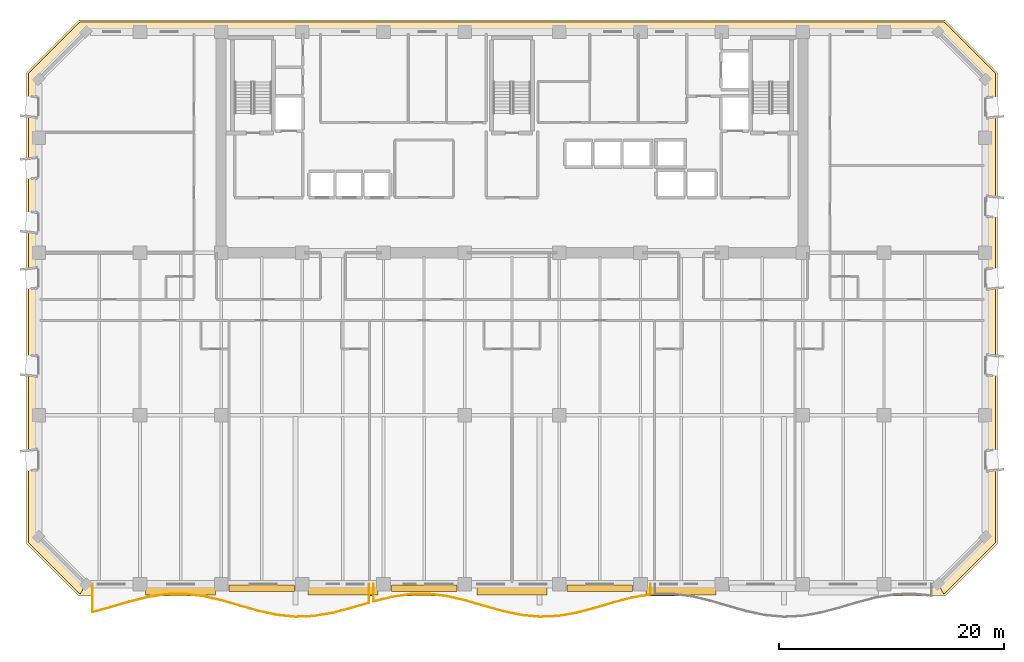
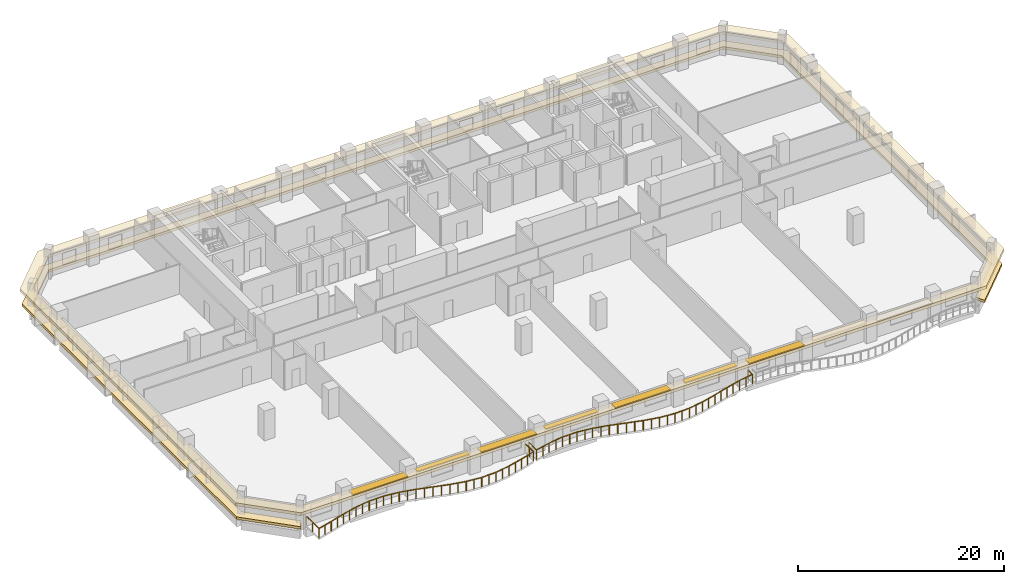
# One storey, part 12 of 15: 7 shading devices, 2 coverings, 2 railings.
"""IFC4 building model written with IfcOpenShell, lengths in metres."""

from ifc_helpers import new_model, si_unit, direction, frame, origin, origin_2d, place, context, subcontext, project, spatial, polyline, rectangle, outline, extrude, material, layer, layer_set, type_object, element, save


model = new_model("IFC4")

# Units and contexts
model_context = context("Model", 3, precision=1e-05, world=origin(), true_north=direction((0.0, 1.0)))
body_context = subcontext(model_context, "Body", "Model", "MODEL_VIEW")
ifc_project = project(units=[si_unit("LENGTHUNIT", "METRE"), si_unit("AREAUNIT", "SQUARE_METRE"), si_unit("VOLUMEUNIT", "CUBIC_METRE"), si_unit("PLANEANGLEUNIT", "RADIAN"), si_unit("MASSUNIT", "GRAM", prefix="KILO")], contexts=[model_context])

# Site, building, storey
site_placement = place(None, origin())
site = spatial("IfcSite", under=ifc_project, at=site_placement, CompositionType="ELEMENT")
building_placement = place(site_placement, origin())
building = spatial("IfcBuilding", under=site, at=building_placement, Name="Kaelvorn Grand Hotel", CompositionType="ELEMENT")
storey_placement = place(building_placement, frame((0.0, 0.0, 115.550048828125)))
storey = spatial("IfcBuildingStorey", under=building, at=storey_placement, Name="L27", CompositionType="ELEMENT", Elevation=115.550048828125)

# Coverings
ifc_material_1 = material(Name="Precast concrete C45/55", Category="concrete")
ifc_layer_1 = layer(ifc_material_1, 0.260009765625)
ifc_layer_set_1 = layer_set([ifc_layer_1], Name="Precast concrete C45/55")
covering_type_1 = type_object("IfcCoveringType", Name="COV-BAND-STREAMLINE-HEAD", PredefinedType="CLADDING", material=ifc_layer_set_1)
covering_1_placement = place(storey_placement, frame((0.0, 0.0, 2.179931640625)))
element("IfcCovering", 1, at=covering_1_placement, inside=storey, type_object=covering_type_1, Name="L27 Streamline Moderne Wraparound Horizontal Eyebrow Band", PredefinedType="CLADDING", context=body_context, shape_type="SweptSolid", body=[
    extrude(outline(polyline([(3.590087890625, -1.050048828125), (80.409912109375, -1.050048828125), (85.050048828125, 3.590087890625), (85.050048828125, 45.409912109375), (80.409912109375, 50.050048828125), (3.590087890625, 50.050048828125), (-1.050048828125, 45.409912109375), (-1.050048828125, 3.590087890625), (3.590087890625, -1.050048828125)]), holes=[polyline([(4.219970703125, 0.030029296875), (79.780029296875, 0.030029296875), (83.969970703125, 4.219970703125), (83.969970703125, 44.780029296875), (79.780029296875, 48.969970703125), (4.219970703125, 48.969970703125), (0.030029296875, 44.780029296875), (0.030029296875, 4.219970703125), (4.219970703125, 0.030029296875)])]), origin(), (0.0, 0.0, 1.0), 0.360107421875),
])
ifc_layer_2 = layer(ifc_material_1, 0.219970703125)
ifc_layer_set_2 = layer_set([ifc_layer_2], Name="Precast concrete C45/55")
covering_type_2 = type_object("IfcCoveringType", Name="COV-BAND-STREAMLINE-SILL", PredefinedType="CLADDING", material=ifc_layer_set_2)
covering_2_placement = place(storey_placement, frame((0.0, 0.0, 0.449951171875)))
element("IfcCovering", 2, at=covering_2_placement, inside=storey, type_object=covering_type_2, Name="L27 Streamline Moderne Wraparound Horizontal Sill Spandrel Band", PredefinedType="CLADDING", context=body_context, shape_type="SweptSolid", body=[
    extrude(outline(polyline([(80.3154296875, -0.8798828125), (84.8798828125, 3.6845703125), (84.8798828125, 45.3154296875), (80.3154296875, 49.8798828125), (3.6845703125, 49.8798828125), (-0.8798828125, 45.3154296875), (-0.8798828125, 3.6845703125), (3.6845703125, -0.8798828125), (4.217529296875, 0.030029296875), (0.030029296875, 4.217529296875), (0.030029296875, 44.782470703125), (4.217529296875, 48.969970703125), (79.782470703125, 48.969970703125), (83.969970703125, 44.782470703125), (83.969970703125, 4.217529296875), (79.782470703125, 0.030029296875), (80.3154296875, -0.8798828125)])), origin(), (0.0, 0.0, 1.0), 0.300048828125),
])

# Railings
ifc_material_2 = material(Name="Stainless Steel", Category="steel")
railing_type = type_object("IfcRailingType", Name="RL-BALC-1150", PredefinedType="BALUSTRADE", material=ifc_material_2)
railing_1_placement = place(storey_placement, frame((4.800048828125, 0.0, 0.0)))
element("IfcRailing", 3, at=railing_1_placement, inside=storey, type_object=railing_type, Name="L27 Scalloped Wave Balcony Balustrade GR1-1", PredefinedType="BALUSTRADE", context=body_context, shape_type="SweptSolid", body=[
    extrude(rectangle(XDim=0.048095703125, YDim=0.048095703125, at=origin_2d()), frame((0.0, 0.0, 1.1259765625), z_axis=(0.0, -1.0, 0.0), x_axis=(1.0, 0.0, 0.0)), (0.0, 0.0, 1.0), 2.4775390625),
    extrude(rectangle(XDim=0.048095703125, YDim=0.048095703125, at=origin_2d()), frame((0.0, -2.4775390625, 1.1259765625), z_axis=(0.964654076127, 0.263519474446, 0.0), x_axis=(-0.263519474446, 0.964654076127, 0.0)), (0.0, 0.0, 1.0), 1.6953125),
    extrude(rectangle(XDim=0.048095703125, YDim=0.048095703125, at=origin_2d()), frame((1.635498046875, -2.03076171875, 1.1259765625), z_axis=(0.959338132824, 0.282259361068, 0.0), x_axis=(-0.282259361068, 0.959338132824, 0.0)), (0.0, 0.0, 1.0), 1.704833984375),
    extrude(rectangle(XDim=0.048095703125, YDim=0.048095703125, at=origin_2d()), frame((3.27099609375, -1.549560546875, 1.1259765625), z_axis=(0.970108421797, 0.242671897751, 0.0), x_axis=(-0.242671897751, 0.970108421797, 0.0)), (0.0, 0.0, 1.0), 1.68603515625),
    extrude(rectangle(XDim=0.048095703125, YDim=0.048095703125, at=origin_2d()), frame((4.90673828125, -1.140380859375, 1.1259765625), z_axis=(0.988889745087, 0.148650839424, 0.0), x_axis=(-0.148650839424, 0.988889745087, 0.0)), (0.0, 0.0, 1.0), 1.65380859375),
    extrude(rectangle(XDim=0.048095703125, YDim=0.048095703125, at=origin_2d()), frame((6.542236328125, -0.89453125, 1.1259765625), z_axis=(0.999852684056, 0.01716421237, 0.0), x_axis=(-0.01716421237, 0.999852684056, 0.0)), (0.0, 0.0, 1.0), 1.6357421875),
    extrude(rectangle(XDim=0.048095703125, YDim=0.048095703125, at=origin_2d()), frame((8.177734375, -0.866455078125, 1.1259765625), z_axis=(0.992892259483, -0.119016641941, 0.0), x_axis=(0.119016641941, 0.992892259483, 0.0)), (0.0, 0.0, 1.0), 1.647216796875),
    extrude(rectangle(XDim=0.048095703125, YDim=0.048095703125, at=origin_2d()), frame((9.813232421875, -1.0625, 1.1259765625), z_axis=(0.974547877033, -0.22417947134, 0.0), x_axis=(0.22417947134, 0.974547877033, 0.0)), (0.0, 0.0, 1.0), 1.67822265625),
    extrude(rectangle(XDim=0.048095703125, YDim=0.048095703125, at=origin_2d()), frame((11.44873046875, -1.438720703125, 1.1259765625), z_axis=(0.960582401259, -0.277995414335, 0.0), x_axis=(0.277995414335, 0.960582401259, 0.0)), (0.0, 0.0, 1.0), 1.702880859375),
    extrude(rectangle(XDim=0.048095703125, YDim=0.048095703125, at=origin_2d()), frame((13.08447265625, -1.912109375, 1.1259765625), z_axis=(0.96186455439, -0.273526194374, 0.0), x_axis=(0.273526194374, 0.96186455439, 0.0)), (0.0, 0.0, 1.0), 1.700439453125),
    extrude(rectangle(XDim=0.048095703125, YDim=0.048095703125, at=origin_2d()), frame((14.719970703125, -2.377197265625, 1.1259765625), z_axis=(0.977427196396, -0.211272515358, 0.0), x_axis=(0.211272515358, 0.977427196396, 0.0)), (0.0, 0.0, 1.0), 1.67333984375),
    extrude(rectangle(XDim=0.048095703125, YDim=0.048095703125, at=origin_2d()), frame((16.35546875, -2.730712890625, 1.1259765625), z_axis=(0.995050417391, -0.099371358297, 0.0), x_axis=(0.099371358297, 0.995050417391, 0.0)), (0.0, 0.0, 1.0), 1.6435546875),
    extrude(rectangle(XDim=0.048095703125, YDim=0.048095703125, at=origin_2d()), frame((17.990966796875, -2.89404296875, 1.1259765625), z_axis=(0.999265134738, 0.03833002084, 0.0), x_axis=(-0.03833002084, 0.999265134738, 0.0)), (0.0, 0.0, 1.0), 1.636962890625),
    extrude(rectangle(XDim=0.048095703125, YDim=0.048095703125, at=origin_2d()), frame((19.626708984375, -2.831298828125, 1.1259765625), z_axis=(0.986118033534, 0.166045848907, 0.0), x_axis=(-0.166045848907, 0.986118033534, 0.0)), (0.0, 0.0, 1.0), 1.658447265625),
    extrude(rectangle(XDim=0.048095703125, YDim=0.048095703125, at=origin_2d()), frame((21.26220703125, -2.555908203125, 1.1259765625), z_axis=(0.96763721046, 0.252345455542, 0.0), x_axis=(-0.252345455542, 0.96763721046, 0.0)), (0.0, 0.0, 1.0), 1.690185546875),
    extrude(rectangle(XDim=0.048095703125, YDim=0.048095703125, at=origin_2d()), frame((22.897705078125, -2.12939453125, 1.1259765625), z_axis=(0.959027432838, 0.2833132243, 0.0), x_axis=(-0.2833132243, 0.959027432838, 0.0)), (0.0, 0.0, 1.0), 1.705322265625),
    extrude(rectangle(XDim=0.048095703125, YDim=0.048095703125, at=origin_2d()), frame((24.533203125, -1.646240234375, 1.1259765625), z_axis=(0.0, 1.0, 0.0), x_axis=(-1.0, 0.0, 0.0)), (0.0, 0.0, 1.0), 1.646240234375),
    extrude(rectangle(XDim=0.0419921875, YDim=0.0419921875, at=origin_2d()), origin(), (0.0, 0.0, 1.0), 1.101806640625),
    extrude(rectangle(XDim=0.0419921875, YDim=0.0419921875, at=origin_2d()), frame((0.0, -1.23876953125, 0.0)), (0.0, 0.0, 1.0), 1.101806640625),
    extrude(rectangle(XDim=0.0419921875, YDim=0.0419921875, at=origin_2d()), frame((0.0, -2.4775390625, 0.0)), (0.0, 0.0, 1.0), 1.101806640625),
    extrude(rectangle(XDim=0.0419921875, YDim=0.0419921875, at=origin_2d()), frame((0.81787109375, -2.254150390625, 0.0)), (0.0, 0.0, 1.0), 1.101806640625),
    extrude(rectangle(XDim=0.0419921875, YDim=0.0419921875, at=origin_2d()), frame((1.635498046875, -2.03076171875, 0.0)), (0.0, 0.0, 1.0), 1.101806640625),
    extrude(rectangle(XDim=0.0419921875, YDim=0.0419921875, at=origin_2d()), frame((2.453125, -1.7900390625, 0.0)), (0.0, 0.0, 1.0), 1.101806640625),
    extrude(rectangle(XDim=0.0419921875, YDim=0.0419921875, at=origin_2d()), frame((3.27099609375, -1.549560546875, 0.0)), (0.0, 0.0, 1.0), 1.101806640625),
    extrude(rectangle(XDim=0.0419921875, YDim=0.0419921875, at=origin_2d()), frame((4.0888671875, -1.344970703125, 0.0)), (0.0, 0.0, 1.0), 1.101806640625),
    extrude(rectangle(XDim=0.0419921875, YDim=0.0419921875, at=origin_2d()), frame((4.90673828125, -1.140380859375, 0.0)), (0.0, 0.0, 1.0), 1.101806640625),
    extrude(rectangle(XDim=0.0419921875, YDim=0.0419921875, at=origin_2d()), frame((5.724609375, -1.017578125, 0.0)), (0.0, 0.0, 1.0), 1.101806640625),
    extrude(rectangle(XDim=0.0419921875, YDim=0.0419921875, at=origin_2d()), frame((6.542236328125, -0.89453125, 0.0)), (0.0, 0.0, 1.0), 1.101806640625),
    extrude(rectangle(XDim=0.0419921875, YDim=0.0419921875, at=origin_2d()), frame((7.35986328125, -0.88037109375, 0.0)), (0.0, 0.0, 1.0), 1.101806640625),
    extrude(rectangle(XDim=0.0419921875, YDim=0.0419921875, at=origin_2d()), frame((8.177734375, -0.866455078125, 0.0)), (0.0, 0.0, 1.0), 1.101806640625),
    extrude(rectangle(XDim=0.0419921875, YDim=0.0419921875, at=origin_2d()), frame((8.99560546875, -0.96435546875, 0.0)), (0.0, 0.0, 1.0), 1.101806640625),
    extrude(rectangle(XDim=0.0419921875, YDim=0.0419921875, at=origin_2d()), frame((9.813232421875, -1.0625, 0.0)), (0.0, 0.0, 1.0), 1.101806640625),
    extrude(rectangle(XDim=0.0419921875, YDim=0.0419921875, at=origin_2d()), frame((10.630859375, -1.25048828125, 0.0)), (0.0, 0.0, 1.0), 1.101806640625),
    extrude(rectangle(XDim=0.0419921875, YDim=0.0419921875, at=origin_2d()), frame((11.44873046875, -1.438720703125, 0.0)), (0.0, 0.0, 1.0), 1.101806640625),
    extrude(rectangle(XDim=0.0419921875, YDim=0.0419921875, at=origin_2d()), frame((12.2666015625, -1.67529296875, 0.0)), (0.0, 0.0, 1.0), 1.101806640625),
    extrude(rectangle(XDim=0.0419921875, YDim=0.0419921875, at=origin_2d()), frame((13.08447265625, -1.912109375, 0.0)), (0.0, 0.0, 1.0), 1.101806640625),
    extrude(rectangle(XDim=0.0419921875, YDim=0.0419921875, at=origin_2d()), frame((13.90234375, -2.14453125, 0.0)), (0.0, 0.0, 1.0), 1.101806640625),
    extrude(rectangle(XDim=0.0419921875, YDim=0.0419921875, at=origin_2d()), frame((14.719970703125, -2.377197265625, 0.0)), (0.0, 0.0, 1.0), 1.101806640625),
    extrude(rectangle(XDim=0.0419921875, YDim=0.0419921875, at=origin_2d()), frame((15.53759765625, -2.553955078125, 0.0)), (0.0, 0.0, 1.0), 1.101806640625),
    extrude(rectangle(XDim=0.0419921875, YDim=0.0419921875, at=origin_2d()), frame((16.35546875, -2.730712890625, 0.0)), (0.0, 0.0, 1.0), 1.101806640625),
    extrude(rectangle(XDim=0.0419921875, YDim=0.0419921875, at=origin_2d()), frame((17.17333984375, -2.8125, 0.0)), (0.0, 0.0, 1.0), 1.101806640625),
    extrude(rectangle(XDim=0.0419921875, YDim=0.0419921875, at=origin_2d()), frame((17.990966796875, -2.89404296875, 0.0)), (0.0, 0.0, 1.0), 1.101806640625),
    extrude(rectangle(XDim=0.0419921875, YDim=0.0419921875, at=origin_2d()), frame((18.808837890625, -2.86279296875, 0.0)), (0.0, 0.0, 1.0), 1.101806640625),
    extrude(rectangle(XDim=0.0419921875, YDim=0.0419921875, at=origin_2d()), frame((19.626708984375, -2.831298828125, 0.0)), (0.0, 0.0, 1.0), 1.101806640625),
    extrude(rectangle(XDim=0.0419921875, YDim=0.0419921875, at=origin_2d()), frame((20.4443359375, -2.693603515625, 0.0)), (0.0, 0.0, 1.0), 1.101806640625),
    extrude(rectangle(XDim=0.0419921875, YDim=0.0419921875, at=origin_2d()), frame((21.26220703125, -2.555908203125, 0.0)), (0.0, 0.0, 1.0), 1.101806640625),
    extrude(rectangle(XDim=0.0419921875, YDim=0.0419921875, at=origin_2d()), frame((22.080078125, -2.3427734375, 0.0)), (0.0, 0.0, 1.0), 1.101806640625),
    extrude(rectangle(XDim=0.0419921875, YDim=0.0419921875, at=origin_2d()), frame((22.897705078125, -2.12939453125, 0.0)), (0.0, 0.0, 1.0), 1.101806640625),
    extrude(rectangle(XDim=0.0419921875, YDim=0.0419921875, at=origin_2d()), frame((23.71533203125, -1.8876953125, 0.0)), (0.0, 0.0, 1.0), 1.101806640625),
    extrude(rectangle(XDim=0.0419921875, YDim=0.0419921875, at=origin_2d()), frame((24.533203125, -1.646240234375, 0.0)), (0.0, 0.0, 1.0), 1.101806640625),
    extrude(rectangle(XDim=0.0419921875, YDim=0.0419921875, at=origin_2d()), frame((24.533203125, -0.8232421875, 0.0)), (0.0, 0.0, 1.0), 1.101806640625),
    extrude(rectangle(XDim=0.0419921875, YDim=0.0419921875, at=origin_2d()), frame((24.533203125, 0.0, 0.0)), (0.0, 0.0, 1.0), 1.101806640625),
])
railing_2_placement = place(storey_placement, frame((29.7333984375, 0.0, 0.0)))
element("IfcRailing", 4, at=railing_2_placement, inside=storey, type_object=railing_type, Name="L27 Scalloped Wave Balcony Balustrade GR1-2", PredefinedType="BALUSTRADE", context=body_context, shape_type="SweptSolid", body=[
    extrude(rectangle(XDim=0.048095703125, YDim=0.048095703125, at=origin_2d()), frame((0.0, 0.0, 1.1259765625), z_axis=(0.0, -1.0, 0.0), x_axis=(1.0, 0.0, 0.0)), (0.0, 0.0, 1.0), 1.531982421875),
    extrude(rectangle(XDim=0.048095703125, YDim=0.048095703125, at=origin_2d()), frame((0.0, -1.531982421875, 1.1259765625), z_axis=(0.970778455787, 0.239977477651, 0.0), x_axis=(-0.239977477651, 0.970778455787, 0.0)), (0.0, 0.0, 1.0), 1.684814453125),
    extrude(rectangle(XDim=0.048095703125, YDim=0.048095703125, at=origin_2d()), frame((1.635498046875, -1.127685546875, 1.1259765625), z_axis=(0.989552746823, 0.144171291372, 0.0), x_axis=(-0.144171291372, 0.989552746823, 0.0)), (0.0, 0.0, 1.0), 1.65283203125),
    extrude(rectangle(XDim=0.048095703125, YDim=0.048095703125, at=origin_2d()), frame((3.27099609375, -0.889404296875, 1.1259765625), z_axis=(0.999928700978, 0.011941229449, 0.0), x_axis=(-0.011941229449, 0.999928700978, 0.0)), (0.0, 0.0, 1.0), 1.635498046875),
    extrude(rectangle(XDim=0.048095703125, YDim=0.048095703125, at=origin_2d()), frame((4.906494140625, -0.869873046875, 1.1259765625), z_axis=(0.992305195112, -0.12381599151, 0.0), x_axis=(0.12381599151, 0.992305195112, 0.0)), (0.0, 0.0, 1.0), 1.6484375),
    extrude(rectangle(XDim=0.048095703125, YDim=0.048095703125, at=origin_2d()), frame((6.542236328125, -1.073974609375, 1.1259765625), z_axis=(0.973844426508, -0.227215829024, 0.0), x_axis=(0.227215829024, 0.973844426508, 0.0)), (0.0, 0.0, 1.0), 1.679443359375),
    extrude(rectangle(XDim=0.048095703125, YDim=0.048095703125, at=origin_2d()), frame((8.177734375, -1.45556640625, 1.1259765625), z_axis=(0.960302879925, -0.278959457282, 0.0), x_axis=(0.278959457282, 0.960302879925, 0.0)), (0.0, 0.0, 1.0), 1.703125),
    extrude(rectangle(XDim=0.048095703125, YDim=0.048095703125, at=origin_2d()), frame((9.813232421875, -1.9306640625, 1.1259765625), z_axis=(0.962241545122, -0.272197003733, 0.0), x_axis=(0.272197003733, 0.962241545122, 0.0)), (0.0, 0.0, 1.0), 1.69970703125),
    extrude(rectangle(XDim=0.048095703125, YDim=0.048095703125, at=origin_2d()), frame((11.44873046875, -2.393310546875, 1.1259765625), z_axis=(0.978181108295, -0.207753987627, 0.0), x_axis=(0.207753987627, 0.978181108295, 0.0)), (0.0, 0.0, 1.0), 1.672119140625),
    extrude(rectangle(XDim=0.048095703125, YDim=0.048095703125, at=origin_2d()), frame((13.08447265625, -2.74072265625, 1.1259765625), z_axis=(0.995523480824, -0.09451454453, 0.0), x_axis=(0.09451454453, 0.995523480824, 0.0)), (0.0, 0.0, 1.0), 1.642822265625),
    extrude(rectangle(XDim=0.048095703125, YDim=0.048095703125, at=origin_2d()), frame((14.719970703125, -2.89599609375, 1.1259765625), z_axis=(0.999044869462, 0.043696095948, 0.0), x_axis=(-0.043696095948, 0.999044869462, 0.0)), (0.0, 0.0, 1.0), 1.636962890625),
    extrude(rectangle(XDim=0.048095703125, YDim=0.048095703125, at=origin_2d()), frame((16.35546875, -2.824462890625, 1.1259765625), z_axis=(0.985410815118, 0.170192612792, 0.0), x_axis=(-0.170192612792, 0.985410815118, 0.0)), (0.0, 0.0, 1.0), 1.65966796875),
    extrude(rectangle(XDim=0.048095703125, YDim=0.048095703125, at=origin_2d()), frame((17.990966796875, -2.5419921875, 1.1259765625), z_axis=(0.967044616589, 0.254606970696, 0.0), x_axis=(-0.254606970696, 0.967044616589, 0.0)), (0.0, 0.0, 1.0), 1.69140625),
    extrude(rectangle(XDim=0.048095703125, YDim=0.048095703125, at=origin_2d()), frame((19.626708984375, -2.111328125, 1.1259765625), z_axis=(0.959066322629, 0.283181547419, 0.0), x_axis=(-0.283181547419, 0.959066322629, 0.0)), (0.0, 0.0, 1.0), 1.705322265625),
    extrude(rectangle(XDim=0.048095703125, YDim=0.048095703125, at=origin_2d()), frame((21.26220703125, -1.62841796875, 1.1259765625), z_axis=(0.967354524972, 0.253426957953, 0.0), x_axis=(-0.253426957953, 0.967354524972, 0.0)), (0.0, 0.0, 1.0), 1.690673828125),
    extrude(rectangle(XDim=0.048095703125, YDim=0.048095703125, at=origin_2d()), frame((22.897705078125, -1.199951171875, 1.1259765625), z_axis=(0.985827384416, 0.167762832995, 0.0), x_axis=(-0.167762832995, 0.985827384416, 0.0)), (0.0, 0.0, 1.0), 1.658935546875),
    extrude(rectangle(XDim=0.048095703125, YDim=0.048095703125, at=origin_2d()), frame((24.533203125, -0.921630859375, 1.1259765625), z_axis=(0.0, 1.0, 0.0), x_axis=(-1.0, 0.0, 0.0)), (0.0, 0.0, 1.0), 0.921630859375),
    extrude(rectangle(XDim=0.0419921875, YDim=0.0419921875, at=origin_2d()), origin(), (0.0, 0.0, 1.0), 1.101806640625),
    extrude(rectangle(XDim=0.0419921875, YDim=0.0419921875, at=origin_2d()), frame((0.0, -1.531982421875, 0.0)), (0.0, 0.0, 1.0), 1.101806640625),
    extrude(rectangle(XDim=0.0419921875, YDim=0.0419921875, at=origin_2d()), frame((0.81787109375, -1.329833984375, 0.0)), (0.0, 0.0, 1.0), 1.101806640625),
    extrude(rectangle(XDim=0.0419921875, YDim=0.0419921875, at=origin_2d()), frame((1.635498046875, -1.127685546875, 0.0)), (0.0, 0.0, 1.0), 1.101806640625),
    extrude(rectangle(XDim=0.0419921875, YDim=0.0419921875, at=origin_2d()), frame((2.453125, -1.008544921875, 0.0)), (0.0, 0.0, 1.0), 1.101806640625),
    extrude(rectangle(XDim=0.0419921875, YDim=0.0419921875, at=origin_2d()), frame((3.27099609375, -0.889404296875, 0.0)), (0.0, 0.0, 1.0), 1.101806640625),
    extrude(rectangle(XDim=0.0419921875, YDim=0.0419921875, at=origin_2d()), frame((4.0888671875, -0.879638671875, 0.0)), (0.0, 0.0, 1.0), 1.101806640625),
    extrude(rectangle(XDim=0.0419921875, YDim=0.0419921875, at=origin_2d()), frame((4.906494140625, -0.869873046875, 0.0)), (0.0, 0.0, 1.0), 1.101806640625),
    extrude(rectangle(XDim=0.0419921875, YDim=0.0419921875, at=origin_2d()), frame((5.724365234375, -0.971923828125, 0.0)), (0.0, 0.0, 1.0), 1.101806640625),
    extrude(rectangle(XDim=0.0419921875, YDim=0.0419921875, at=origin_2d()), frame((6.542236328125, -1.073974609375, 0.0)), (0.0, 0.0, 1.0), 1.101806640625),
    extrude(rectangle(XDim=0.0419921875, YDim=0.0419921875, at=origin_2d()), frame((7.35986328125, -1.2646484375, 0.0)), (0.0, 0.0, 1.0), 1.101806640625),
    extrude(rectangle(XDim=0.0419921875, YDim=0.0419921875, at=origin_2d()), frame((8.177734375, -1.45556640625, 0.0)), (0.0, 0.0, 1.0), 1.101806640625),
    extrude(rectangle(XDim=0.0419921875, YDim=0.0419921875, at=origin_2d()), frame((8.99560546875, -1.693115234375, 0.0)), (0.0, 0.0, 1.0), 1.101806640625),
    extrude(rectangle(XDim=0.0419921875, YDim=0.0419921875, at=origin_2d()), frame((9.813232421875, -1.9306640625, 0.0)), (0.0, 0.0, 1.0), 1.101806640625),
    extrude(rectangle(XDim=0.0419921875, YDim=0.0419921875, at=origin_2d()), frame((10.630859375, -2.162109375, 0.0)), (0.0, 0.0, 1.0), 1.101806640625),
    extrude(rectangle(XDim=0.0419921875, YDim=0.0419921875, at=origin_2d()), frame((11.44873046875, -2.393310546875, 0.0)), (0.0, 0.0, 1.0), 1.101806640625),
    extrude(rectangle(XDim=0.0419921875, YDim=0.0419921875, at=origin_2d()), frame((12.2666015625, -2.56689453125, 0.0)), (0.0, 0.0, 1.0), 1.101806640625),
    extrude(rectangle(XDim=0.0419921875, YDim=0.0419921875, at=origin_2d()), frame((13.08447265625, -2.74072265625, 0.0)), (0.0, 0.0, 1.0), 1.101806640625),
    extrude(rectangle(XDim=0.0419921875, YDim=0.0419921875, at=origin_2d()), frame((13.90234375, -2.818359375, 0.0)), (0.0, 0.0, 1.0), 1.101806640625),
    extrude(rectangle(XDim=0.0419921875, YDim=0.0419921875, at=origin_2d()), frame((14.719970703125, -2.89599609375, 0.0)), (0.0, 0.0, 1.0), 1.101806640625),
    extrude(rectangle(XDim=0.0419921875, YDim=0.0419921875, at=origin_2d()), frame((15.53759765625, -2.8603515625, 0.0)), (0.0, 0.0, 1.0), 1.101806640625),
    extrude(rectangle(XDim=0.0419921875, YDim=0.0419921875, at=origin_2d()), frame((16.35546875, -2.824462890625, 0.0)), (0.0, 0.0, 1.0), 1.101806640625),
    extrude(rectangle(XDim=0.0419921875, YDim=0.0419921875, at=origin_2d()), frame((17.17333984375, -2.68310546875, 0.0)), (0.0, 0.0, 1.0), 1.101806640625),
    extrude(rectangle(XDim=0.0419921875, YDim=0.0419921875, at=origin_2d()), frame((17.990966796875, -2.5419921875, 0.0)), (0.0, 0.0, 1.0), 1.101806640625),
    extrude(rectangle(XDim=0.0419921875, YDim=0.0419921875, at=origin_2d()), frame((18.808837890625, -2.32666015625, 0.0)), (0.0, 0.0, 1.0), 1.101806640625),
    extrude(rectangle(XDim=0.0419921875, YDim=0.0419921875, at=origin_2d()), frame((19.626708984375, -2.111328125, 0.0)), (0.0, 0.0, 1.0), 1.101806640625),
    extrude(rectangle(XDim=0.0419921875, YDim=0.0419921875, at=origin_2d()), frame((20.4443359375, -1.869873046875, 0.0)), (0.0, 0.0, 1.0), 1.101806640625),
    extrude(rectangle(XDim=0.0419921875, YDim=0.0419921875, at=origin_2d()), frame((21.26220703125, -1.62841796875, 0.0)), (0.0, 0.0, 1.0), 1.101806640625),
    extrude(rectangle(XDim=0.0419921875, YDim=0.0419921875, at=origin_2d()), frame((22.080078125, -1.4140625, 0.0)), (0.0, 0.0, 1.0), 1.101806640625),
    extrude(rectangle(XDim=0.0419921875, YDim=0.0419921875, at=origin_2d()), frame((22.897705078125, -1.199951171875, 0.0)), (0.0, 0.0, 1.0), 1.101806640625),
    extrude(rectangle(XDim=0.0419921875, YDim=0.0419921875, at=origin_2d()), frame((23.71533203125, -1.060791015625, 0.0)), (0.0, 0.0, 1.0), 1.101806640625),
    extrude(rectangle(XDim=0.0419921875, YDim=0.0419921875, at=origin_2d()), frame((24.533203125, -0.921630859375, 0.0)), (0.0, 0.0, 1.0), 1.101806640625),
    extrude(rectangle(XDim=0.0419921875, YDim=0.0419921875, at=origin_2d()), frame((24.533203125, 0.0, 0.0)), (0.0, 0.0, 1.0), 1.101806640625),
])

# Shading devices
ifc_layer_3 = layer(ifc_material_1, 0.1201171875)
ifc_layer_set_3 = layer_set([ifc_layer_3], Name="Precast concrete C45/55")
shading_device_type_1 = type_object("IfcShadingDeviceType", Name="SHD-SUNSHADE-550", PredefinedType="USERDEFINED", material=ifc_layer_set_3)
for number, where, z_axis, x_axis, name in (
    (5, (19.800048828125, -0.364990234375, 2.419921875), (0.0, 0.0, 1.0), (1.0, 0.0, 0.0), "L27 Horizontal Concrete Sunshade Band SS-03"),
    (6, (34.199951171875, -0.364990234375, 2.419921875), (0.0, 0.0, 1.0), (1.0, 0.0, 0.0), "L27 Horizontal Concrete Sunshade Band SS-05"),
    (7, (49.800048828125, -0.364990234375, 2.419921875), (0.0, 0.0, 1.0), (1.0, 0.0, 0.0), "L27 Horizontal Concrete Sunshade Band SS-07"),
):
    element("IfcShadingDevice", number, at=place(storey_placement, frame(where, z_axis=z_axis, x_axis=x_axis)), inside=storey, type_object=shading_device_type_1, Name=name, ObjectType="SUNSHADE", PredefinedType="USERDEFINED", context=body_context, shape_type="SweptSolid", body=[
        extrude(rectangle(XDim=5.800048828125, YDim=0.550048828125, at=origin_2d()), origin(), (0.0, 0.0, 1.0), 0.1201171875),
    ])
ifc_layer_4 = layer(ifc_material_1, 0.139892578125)
ifc_layer_set_4 = layer_set([ifc_layer_4], Name="Precast concrete C45/55")
shading_device_type_2 = type_object("IfcShadingDeviceType", Name="SHD-SUNSHADE-850", PredefinedType="USERDEFINED", material=ifc_layer_set_4)
for number, where, z_axis, x_axis, name in (
    (8, (12.60009765625, -0.514892578125, 2.41015625), (0.0, 0.0, 1.0), (1.0, 0.0, 0.0), "L27 Horizontal Concrete Sunshade Band SS-02"),
    (9, (27.0, -0.514892578125, 2.41015625), (0.0, 0.0, 1.0), (1.0, 0.0, 0.0), "L27 Horizontal Concrete Sunshade Band SS-04"),
    (10, (42.0, -0.514892578125, 2.41015625), (0.0, 0.0, 1.0), (1.0, 0.0, 0.0), "L27 Horizontal Concrete Sunshade Band SS-06"),
    (11, (57.0, -0.514892578125, 2.41015625), (0.0, 0.0, 1.0), (1.0, 0.0, 0.0), "L27 Horizontal Concrete Sunshade Band SS-08"),
):
    element("IfcShadingDevice", number, at=place(storey_placement, frame(where, z_axis=z_axis, x_axis=x_axis)), inside=storey, type_object=shading_device_type_2, Name=name, ObjectType="SUNSHADE", PredefinedType="USERDEFINED", context=body_context, shape_type="SweptSolid", body=[
        extrude(rectangle(XDim=6.199951171875, YDim=0.85009765625, at=origin_2d()), origin(), (0.0, 0.0, 1.0), 0.139892578125),
    ])

save(model, "model.ifc")
